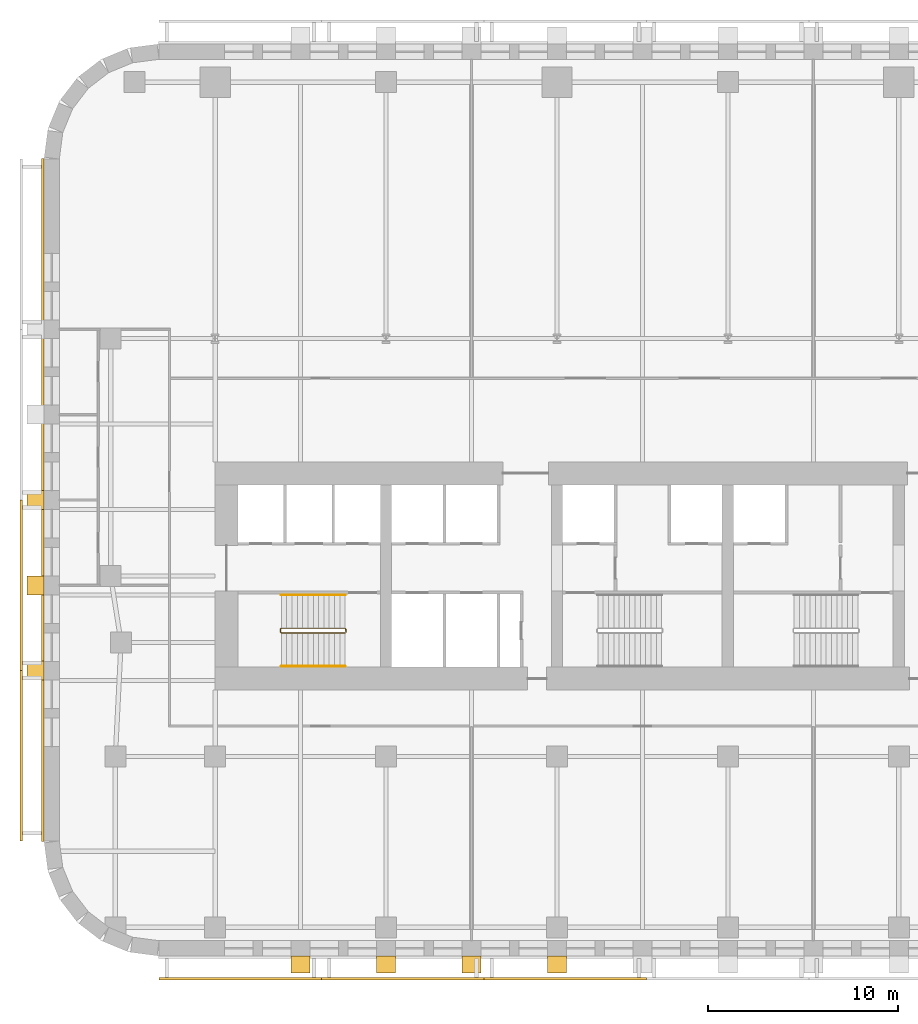
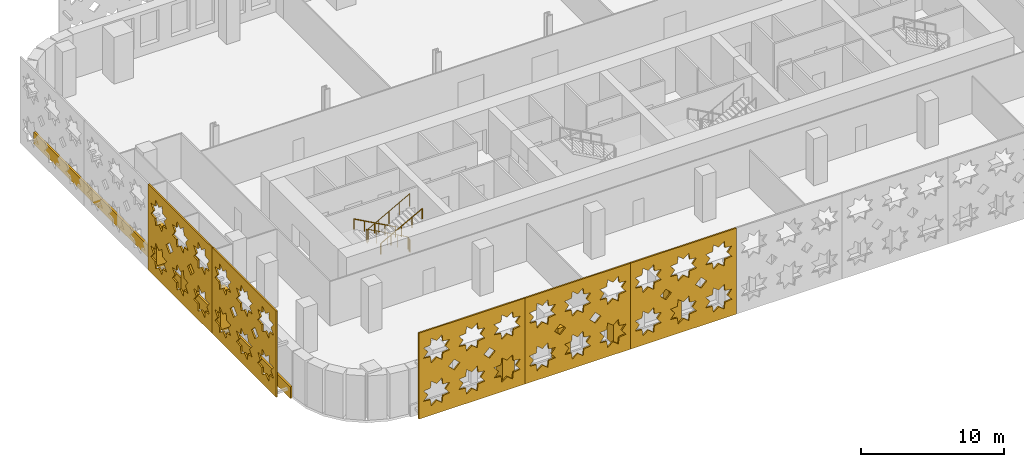
# One storey, part 10 of 14: 13 coverings, 3 railings.
"""IFC4 building model written with IfcOpenShell, lengths in metres."""

from ifc_helpers import new_model, si_unit, direction, frame, origin, origin_2d, place, context, subcontext, project, spatial, polyline, circle, outline, extrude, material, layer, layer_set, type_object, element, save


model = new_model("IFC4")

# Units and contexts
model_context = context("Model", 3, precision=1e-05, world=origin(), true_north=direction((0.0, 1.0)))
body_context = subcontext(model_context, "Body", "Model", "MODEL_VIEW")
ifc_project = project(units=[si_unit("LENGTHUNIT", "METRE"), si_unit("AREAUNIT", "SQUARE_METRE"), si_unit("VOLUMEUNIT", "CUBIC_METRE"), si_unit("PLANEANGLEUNIT", "RADIAN"), si_unit("MASSUNIT", "GRAM", prefix="KILO")], contexts=[model_context])

# Site, building, storey
site_placement = place(None, origin())
site = spatial("IfcSite", under=ifc_project, at=site_placement, CompositionType="ELEMENT")
building_placement = place(site_placement, origin())
building = spatial("IfcBuilding", under=site, at=building_placement, Name="Zellij Exchange Tower", CompositionType="ELEMENT")
storey_placement = place(building_placement, frame((0.0, 0.0, 68.5)))
storey = spatial("IfcBuildingStorey", under=building, at=storey_placement, Name="L13", CompositionType="ELEMENT", Elevation=68.5)

# Railings
ifc_material_1 = material(Name="Stainless steel", Category="steel")
railing_type_1 = type_object("IfcRailingType", Name="CORE-RG stair guard", PredefinedType="GUARDRAIL", material=ifc_material_1)
railing_1_placement = place(storey_placement, frame((-20.10009765625, -10.800048828125, 0.0)))
element("IfcRailing", 1, at=railing_1_placement, inside=storey, type_object=railing_type_1, Name="ST1 stair guard L13", PredefinedType="GUARDRAIL", context=body_context, shape_type="SweptSolid", body=[
    extrude(circle(Radius=0.02392578125, at=origin_2d()), frame((0.0, 0.0, 1.076171875), z_axis=(0.0, -1.0, 0.0), x_axis=(1.0, 0.0, 0.0)), (0.0, 0.0, 1.0), 0.14990234375),
    extrude(circle(Radius=0.02392578125, at=origin_2d()), frame((0.0, -0.14990234375, 1.076171875), z_axis=(-0.193691321961, 0.777613689637, 0.598164376644), x_axis=(-0.970351222016, -0.241699205484, 0.0)), (0.0, 0.0, 1.0), 0.257080078125),
    extrude(circle(Radius=0.02392578125, at=origin_2d()), frame((-0.0498046875, 0.050048828125, 1.22998046875), z_axis=(-0.876421534553, 0.0, 0.481544695509), x_axis=(0.0, -1.0, 0.0)), (0.0, 0.0, 1.0), 3.833984375),
    extrude(circle(Radius=0.02392578125, at=origin_2d()), frame((-3.409912109375, 0.050048828125, 3.076171875), z_axis=(-0.707106781187, -0.707106781187, 0.0), x_axis=(0.707106781187, -0.707106781187, 0.0)), (0.0, 0.0, 1.0), 0.07080078125),
    extrude(circle(Radius=0.02392578125, at=origin_2d()), frame((-3.4599609375, 0.0, 3.076171875), z_axis=(0.0, -1.0, 0.0), x_axis=(1.0, 0.0, 0.0)), (0.0, 0.0, 1.0), 0.14990234375),
    extrude(circle(Radius=0.02392578125, at=origin_2d()), frame((-3.4599609375, -0.14990234375, 3.076171875), z_axis=(0.295599637079, -0.295599637079, 0.908428152975), x_axis=(0.707106781187, 0.707106781187, 0.0)), (0.0, 0.0, 1.0), 0.16943359375),
    extrude(circle(Radius=0.02392578125, at=origin_2d()), frame((-3.409912109375, -0.199951171875, 3.22998046875), z_axis=(0.876421534553, 0.0, 0.481544695509), x_axis=(0.0, 1.0, 0.0)), (0.0, 0.0, 1.0), 3.833984375),
    extrude(circle(Radius=0.02099609375, at=origin_2d()), origin(), (0.0, 0.0, 1.0), 1.052001953125),
    extrude(circle(Radius=0.02099609375, at=origin_2d()), frame((0.0, -0.14990234375, 0.0)), (0.0, 0.0, 1.0), 1.052001953125),
    extrude(circle(Radius=0.02099609375, at=origin_2d()), frame((-0.0498046875, 0.050048828125, 0.15380859375)), (0.0, 0.0, 1.0), 1.052001953125),
    extrude(circle(Radius=0.02099609375, at=origin_2d()), frame((-0.889892578125, 0.050048828125, 0.615234375)), (0.0, 0.0, 1.0), 1.052001953125),
    extrude(circle(Radius=0.02099609375, at=origin_2d()), frame((-1.72998046875, 0.050048828125, 1.076904296875)), (0.0, 0.0, 1.0), 1.052001953125),
    extrude(circle(Radius=0.02099609375, at=origin_2d()), frame((-2.56982421875, 0.050048828125, 1.53857421875)), (0.0, 0.0, 1.0), 1.052001953125),
    extrude(circle(Radius=0.02099609375, at=origin_2d()), frame((-3.409912109375, 0.050048828125, 2.0)), (0.0, 0.0, 1.0), 1.052001953125),
    extrude(circle(Radius=0.02099609375, at=origin_2d()), frame((-3.4599609375, 0.0, 2.0)), (0.0, 0.0, 1.0), 1.052001953125),
    extrude(circle(Radius=0.02099609375, at=origin_2d()), frame((-3.4599609375, -0.14990234375, 2.0)), (0.0, 0.0, 1.0), 1.052001953125),
    extrude(circle(Radius=0.02099609375, at=origin_2d()), frame((-3.409912109375, -0.199951171875, 2.15380859375)), (0.0, 0.0, 1.0), 1.052001953125),
    extrude(circle(Radius=0.02099609375, at=origin_2d()), frame((-2.56982421875, -0.199951171875, 2.615234375)), (0.0, 0.0, 1.0), 1.052001953125),
    extrude(circle(Radius=0.02099609375, at=origin_2d()), frame((-1.72998046875, -0.199951171875, 3.076904296875)), (0.0, 0.0, 1.0), 1.052001953125),
    extrude(circle(Radius=0.02099609375, at=origin_2d()), frame((-0.889892578125, -0.199951171875, 3.53857421875)), (0.0, 0.0, 1.0), 1.052001953125),
    extrude(circle(Radius=0.02099609375, at=origin_2d()), frame((-0.0498046875, -0.199951171875, 4.0)), (0.0, 0.0, 1.0), 1.052001953125),
])
railing_type_2 = type_object("IfcRailingType", Name="CORE-RH stair handrail", PredefinedType="HANDRAIL", material=ifc_material_1)
railing_2_placement = place(storey_placement, frame((-20.14990234375, -9.0, 0.15380859375)))
element("IfcRailing", 2, at=railing_2_placement, inside=storey, type_object=railing_type_2, Name="ST1 stair handrail L13", PredefinedType="HANDRAIL", context=body_context, shape_type="SweptSolid", body=[
    extrude(circle(Radius=0.02392578125, at=origin_2d()), frame((0.0, 0.0, 0.8759765625), z_axis=(-0.876421534553, 0.0, 0.481544695509), x_axis=(0.0, -1.0, 0.0)), (0.0, 0.0, 1.0), 3.833984375),
    extrude(circle(Radius=0.02099609375, at=origin_2d()), origin(), (0.0, 0.0, 1.0), 0.851806640625),
    extrude(circle(Radius=0.02099609375, at=origin_2d()), frame((-0.840087890625, 0.0, 0.46142578125)), (0.0, 0.0, 1.0), 0.851806640625),
    extrude(circle(Radius=0.02099609375, at=origin_2d()), frame((-1.68017578125, 0.0, 0.923095703125)), (0.0, 0.0, 1.0), 0.851806640625),
    extrude(circle(Radius=0.02099609375, at=origin_2d()), frame((-2.52001953125, 0.0, 1.384765625)), (0.0, 0.0, 1.0), 0.851806640625),
    extrude(circle(Radius=0.02099609375, at=origin_2d()), frame((-3.360107421875, 0.0, 1.84619140625)), (0.0, 0.0, 1.0), 0.851806640625),
])
railing_3_placement = place(storey_placement, frame((-23.510009765625, -12.75, 2.15380859375)))
element("IfcRailing", 3, at=railing_3_placement, inside=storey, type_object=railing_type_2, Name="ST1 stair handrail L13", PredefinedType="HANDRAIL", context=body_context, shape_type="SweptSolid", body=[
    extrude(circle(Radius=0.02392578125, at=origin_2d()), frame((0.0, 0.0, 0.8759765625), z_axis=(0.876421534553, 0.0, 0.481544695509), x_axis=(0.0, 1.0, 0.0)), (0.0, 0.0, 1.0), 3.833984375),
    extrude(circle(Radius=0.02099609375, at=origin_2d()), origin(), (0.0, 0.0, 1.0), 0.851806640625),
    extrude(circle(Radius=0.02099609375, at=origin_2d()), frame((0.840087890625, 0.0, 0.46142578125)), (0.0, 0.0, 1.0), 0.851806640625),
    extrude(circle(Radius=0.02099609375, at=origin_2d()), frame((1.68017578125, 0.0, 0.923095703125)), (0.0, 0.0, 1.0), 0.851806640625),
    extrude(circle(Radius=0.02099609375, at=origin_2d()), frame((2.52001953125, 0.0, 1.384765625)), (0.0, 0.0, 1.0), 0.851806640625),
    extrude(circle(Radius=0.02099609375, at=origin_2d()), frame((3.360107421875, 0.0, 1.84619140625)), (0.0, 0.0, 1.0), 0.851806640625),
])

# Coverings
ifc_material_2 = material(Name="Limestone cladding", Category="masonry")
ifc_layer_1 = layer(ifc_material_2, 0.14990234375)
ifc_layer_set_1 = layer_set([ifc_layer_1], Name="Limestone cladding")
covering_type_1 = type_object("IfcCoveringType", Name="ENV-CV1 Stone spandrel band 150", PredefinedType="CLADDING", material=ifc_layer_set_1)
covering_1_placement = place(storey_placement, frame((0.0, 0.0, -0.199951171875)))
element("IfcCovering", 4, at=covering_1_placement, inside=storey, type_object=covering_type_1, Name="Stone spandrel band", PredefinedType="CLADDING", context=body_context, shape_type="SweptSolid", body=[
    extrude(outline(polyline([(-36.0, 13.973876953125), (-36.0, -21.973876953125), (-36.14990234375, -21.983642578125), (-36.14990234375, 13.983642578125), (-36.0, 13.973876953125)])), origin(), (0.0, 0.0, 1.0), 1.0),
])
covering_type_2 = type_object("IfcCoveringType", Name="ENV-CV2 Stone pier 1000x900", PredefinedType="CLADDING", material=ifc_material_2)
covering_2_placement = place(storey_placement, frame((0.0, 0.0, 0.800048828125)))
element("IfcCovering", 5, at=covering_2_placement, inside=storey, type_object=covering_type_2, Name="Stone pier", PredefinedType="CLADDING", context=body_context, shape_type="SweptSolid", body=[
    extrude(outline(polyline([(-23.0, -28.0), (-22.0, -28.0), (-22.0, -28.89990234375), (-23.0, -28.89990234375), (-23.0, -28.0)])), origin(), (0.0, 0.0, 1.0), 3.0),
])
covering_3_placement = place(storey_placement, frame((0.0, 0.0, 0.800048828125)))
element("IfcCovering", 6, at=covering_3_placement, inside=storey, type_object=covering_type_2, Name="Stone pier", PredefinedType="CLADDING", context=body_context, shape_type="SweptSolid", body=[
    extrude(outline(polyline([(-18.5, -28.0), (-17.5, -28.0), (-17.5, -28.89990234375), (-18.5, -28.89990234375), (-18.5, -28.0)])), origin(), (0.0, 0.0, 1.0), 3.0),
])
covering_4_placement = place(storey_placement, frame((0.0, 0.0, 0.800048828125)))
element("IfcCovering", 7, at=covering_4_placement, inside=storey, type_object=covering_type_2, Name="Stone pier", PredefinedType="CLADDING", context=body_context, shape_type="SweptSolid", body=[
    extrude(outline(polyline([(-14.0, -28.0), (-13.0, -28.0), (-13.0, -28.89990234375), (-14.0, -28.89990234375), (-14.0, -28.0)])), origin(), (0.0, 0.0, 1.0), 3.0),
])
covering_5_placement = place(storey_placement, frame((0.0, 0.0, 0.800048828125)))
element("IfcCovering", 8, at=covering_5_placement, inside=storey, type_object=covering_type_2, Name="Stone pier", PredefinedType="CLADDING", context=body_context, shape_type="SweptSolid", body=[
    extrude(outline(polyline([(-9.5, -28.0), (-8.5, -28.0), (-8.5, -28.89990234375), (-9.5, -28.89990234375), (-9.5, -28.0)])), origin(), (0.0, 0.0, 1.0), 3.0),
])
covering_6_placement = place(storey_placement, frame((0.0, 0.0, 0.800048828125)))
element("IfcCovering", 9, at=covering_6_placement, inside=storey, type_object=covering_type_2, Name="Stone pier", PredefinedType="CLADDING", context=body_context, shape_type="SweptSolid", body=[
    extrude(outline(polyline([(-36.0, -3.5), (-36.0, -4.5), (-36.89990234375, -4.5), (-36.89990234375, -3.5), (-36.0, -3.5)])), origin(), (0.0, 0.0, 1.0), 3.0),
])
covering_7_placement = place(storey_placement, frame((0.0, 0.0, 0.800048828125)))
element("IfcCovering", 10, at=covering_7_placement, inside=storey, type_object=covering_type_2, Name="Stone pier", PredefinedType="CLADDING", context=body_context, shape_type="SweptSolid", body=[
    extrude(outline(polyline([(-36.0, -7.993408203125), (-36.0, -8.993408203125), (-36.89990234375, -8.993408203125), (-36.89990234375, -7.993408203125), (-36.0, -7.993408203125)])), origin(), (0.0, 0.0, 1.0), 3.0),
])
covering_8_placement = place(storey_placement, frame((0.0, 0.0, 0.800048828125)))
element("IfcCovering", 11, at=covering_8_placement, inside=storey, type_object=covering_type_2, Name="Stone pier", PredefinedType="CLADDING", context=body_context, shape_type="SweptSolid", body=[
    extrude(outline(polyline([(-36.0, -12.48681640625), (-36.0, -13.48681640625), (-36.89990234375, -13.48681640625), (-36.89990234375, -12.48681640625), (-36.0, -12.48681640625)])), origin(), (0.0, 0.0, 1.0), 3.0),
])
ifc_material_3 = material(Name="Limestone screen", Category="masonry")
ifc_layer_2 = layer(ifc_material_3, 0.1201171875)
ifc_layer_set_2 = layer_set([ifc_layer_2], Name="Limestone screen")
covering_type_3 = type_object("IfcCoveringType", Name="ENV-SC1 Pierced stone screen 120", PredefinedType="USERDEFINED", material=ifc_layer_set_2)
covering_9_placement = place(storey_placement, frame((-37.2099609375, -4.0, 0.300048828125), z_axis=(0.0, 0.0, 1.0), x_axis=(0.0, -1.0, 0.0)))
element("IfcCovering", 12, at=covering_9_placement, inside=storey, type_object=covering_type_3, Name="Pierced stone screen", ObjectType="SCREEN", PredefinedType="USERDEFINED", context=body_context, shape_type="SweptSolid", body=[
    extrude(outline(polyline([(0.0, 0.0), (8.973876953125, 0.0), (8.973876953125, 7.35009765625), (0.0, 7.35009765625), (0.0, 0.0)]), holes=[polyline([(2.60107421875, 2.29541015625), (2.020263671875, 2.362060546875), (1.95361328125, 2.94287109375), (1.49560546875, 2.579345703125), (1.03759765625, 2.94287109375), (0.97119140625, 2.362060546875), (0.39013671875, 2.29541015625), (0.75390625, 1.83740234375), (0.39013671875, 1.379638671875), (0.97119140625, 1.31298828125), (1.03759765625, 0.732177734375), (1.49560546875, 1.095703125), (1.95361328125, 0.732177734375), (2.020263671875, 1.31298828125), (2.60107421875, 1.379638671875), (2.237548828125, 1.83740234375), (2.60107421875, 2.29541015625)]), polyline([(2.60107421875, 5.970458984375), (2.020263671875, 6.037109375), (1.95361328125, 6.617919921875), (1.49560546875, 6.25439453125), (1.03759765625, 6.617919921875), (0.97119140625, 6.037109375), (0.39013671875, 5.970458984375), (0.75390625, 5.512451171875), (0.39013671875, 5.0546875), (0.97119140625, 4.98779296875), (1.03759765625, 4.406982421875), (1.49560546875, 4.770751953125), (1.95361328125, 4.406982421875), (2.020263671875, 4.98779296875), (2.60107421875, 5.0546875), (2.237548828125, 5.512451171875), (2.60107421875, 5.970458984375)]), polyline([(5.59228515625, 2.29541015625), (5.011474609375, 2.362060546875), (4.94482421875, 2.94287109375), (4.48681640625, 2.579345703125), (4.029052734375, 2.94287109375), (3.96240234375, 2.362060546875), (3.381591796875, 2.29541015625), (3.7451171875, 1.83740234375), (3.381591796875, 1.379638671875), (3.96240234375, 1.31298828125), (4.029052734375, 0.732177734375), (4.48681640625, 1.095703125), (4.94482421875, 0.732177734375), (5.011474609375, 1.31298828125), (5.59228515625, 1.379638671875), (5.228759765625, 1.83740234375), (5.59228515625, 2.29541015625)]), polyline([(5.59228515625, 5.970458984375), (5.011474609375, 6.037109375), (4.94482421875, 6.617919921875), (4.48681640625, 6.25439453125), (4.029052734375, 6.617919921875), (3.96240234375, 6.037109375), (3.381591796875, 5.970458984375), (3.7451171875, 5.512451171875), (3.381591796875, 5.0546875), (3.96240234375, 4.98779296875), (4.029052734375, 4.406982421875), (4.48681640625, 4.770751953125), (4.94482421875, 4.406982421875), (5.011474609375, 4.98779296875), (5.59228515625, 5.0546875), (5.228759765625, 5.512451171875), (5.59228515625, 5.970458984375)]), polyline([(8.58349609375, 2.29541015625), (8.002685546875, 2.362060546875), (7.93603515625, 2.94287109375), (7.478271484375, 2.579345703125), (7.020263671875, 2.94287109375), (6.95361328125, 2.362060546875), (6.372802734375, 2.29541015625), (6.736328125, 1.83740234375), (6.372802734375, 1.379638671875), (6.95361328125, 1.31298828125), (7.020263671875, 0.732177734375), (7.478271484375, 1.095703125), (7.93603515625, 0.732177734375), (8.002685546875, 1.31298828125), (8.58349609375, 1.379638671875), (8.219970703125, 1.83740234375), (8.58349609375, 2.29541015625)]), polyline([(8.58349609375, 5.970458984375), (8.002685546875, 6.037109375), (7.93603515625, 6.617919921875), (7.478271484375, 6.25439453125), (7.020263671875, 6.617919921875), (6.95361328125, 6.037109375), (6.372802734375, 5.970458984375), (6.736328125, 5.512451171875), (6.372802734375, 5.0546875), (6.95361328125, 4.98779296875), (7.020263671875, 4.406982421875), (7.478271484375, 4.770751953125), (7.93603515625, 4.406982421875), (8.002685546875, 4.98779296875), (8.58349609375, 5.0546875), (8.219970703125, 5.512451171875), (8.58349609375, 5.970458984375)]), polyline([(3.469970703125, 3.675048828125), (2.9912109375, 4.153564453125), (2.5126953125, 3.675048828125), (2.9912109375, 3.1962890625), (3.469970703125, 3.675048828125)]), polyline([(6.461181640625, 3.675048828125), (5.982421875, 4.153564453125), (5.50390625, 3.675048828125), (5.982421875, 3.1962890625), (6.461181640625, 3.675048828125)])]), frame((0.0, 0.06005859375, 0.0), z_axis=(0.0, -1.0, 0.0), x_axis=(1.0, 0.0, 0.0)), (0.0, 0.0, 1.0), 0.1201171875),
])
covering_10_placement = place(storey_placement, frame((-37.2099609375, -12.973876953125, 0.300048828125), z_axis=(0.0, 0.0, 1.0), x_axis=(0.0, -1.0, 0.0)))
element("IfcCovering", 13, at=covering_10_placement, inside=storey, type_object=covering_type_3, Name="Pierced stone screen", ObjectType="SCREEN", PredefinedType="USERDEFINED", context=body_context, shape_type="SweptSolid", body=[
    extrude(outline(polyline([(0.0, 0.0), (8.973876953125, 0.0), (8.973876953125, 7.35009765625), (0.0, 7.35009765625), (0.0, 0.0)]), holes=[polyline([(2.60107421875, 2.29541015625), (2.020263671875, 2.362060546875), (1.95361328125, 2.94287109375), (1.49560546875, 2.579345703125), (1.03759765625, 2.94287109375), (0.97119140625, 2.362060546875), (0.39013671875, 2.29541015625), (0.75390625, 1.83740234375), (0.39013671875, 1.379638671875), (0.97119140625, 1.31298828125), (1.03759765625, 0.732177734375), (1.49560546875, 1.095703125), (1.95361328125, 0.732177734375), (2.020263671875, 1.31298828125), (2.60107421875, 1.379638671875), (2.237548828125, 1.83740234375), (2.60107421875, 2.29541015625)]), polyline([(2.60107421875, 5.970458984375), (2.020263671875, 6.037109375), (1.95361328125, 6.617919921875), (1.49560546875, 6.25439453125), (1.03759765625, 6.617919921875), (0.97119140625, 6.037109375), (0.39013671875, 5.970458984375), (0.75390625, 5.512451171875), (0.39013671875, 5.0546875), (0.97119140625, 4.98779296875), (1.03759765625, 4.406982421875), (1.49560546875, 4.770751953125), (1.95361328125, 4.406982421875), (2.020263671875, 4.98779296875), (2.60107421875, 5.0546875), (2.237548828125, 5.512451171875), (2.60107421875, 5.970458984375)]), polyline([(5.59228515625, 2.29541015625), (5.011474609375, 2.362060546875), (4.94482421875, 2.94287109375), (4.48681640625, 2.579345703125), (4.029052734375, 2.94287109375), (3.96240234375, 2.362060546875), (3.381591796875, 2.29541015625), (3.7451171875, 1.83740234375), (3.381591796875, 1.379638671875), (3.96240234375, 1.31298828125), (4.029052734375, 0.732177734375), (4.48681640625, 1.095703125), (4.94482421875, 0.732177734375), (5.011474609375, 1.31298828125), (5.59228515625, 1.379638671875), (5.228759765625, 1.83740234375), (5.59228515625, 2.29541015625)]), polyline([(5.59228515625, 5.970458984375), (5.011474609375, 6.037109375), (4.94482421875, 6.617919921875), (4.48681640625, 6.25439453125), (4.029052734375, 6.617919921875), (3.96240234375, 6.037109375), (3.381591796875, 5.970458984375), (3.7451171875, 5.512451171875), (3.381591796875, 5.0546875), (3.96240234375, 4.98779296875), (4.029052734375, 4.406982421875), (4.48681640625, 4.770751953125), (4.94482421875, 4.406982421875), (5.011474609375, 4.98779296875), (5.59228515625, 5.0546875), (5.228759765625, 5.512451171875), (5.59228515625, 5.970458984375)]), polyline([(8.58349609375, 2.29541015625), (8.002685546875, 2.362060546875), (7.93603515625, 2.94287109375), (7.478271484375, 2.579345703125), (7.020263671875, 2.94287109375), (6.95361328125, 2.362060546875), (6.372802734375, 2.29541015625), (6.736328125, 1.83740234375), (6.372802734375, 1.379638671875), (6.95361328125, 1.31298828125), (7.020263671875, 0.732177734375), (7.478271484375, 1.095703125), (7.93603515625, 0.732177734375), (8.002685546875, 1.31298828125), (8.58349609375, 1.379638671875), (8.219970703125, 1.83740234375), (8.58349609375, 2.29541015625)]), polyline([(8.58349609375, 5.970458984375), (8.002685546875, 6.037109375), (7.93603515625, 6.617919921875), (7.478271484375, 6.25439453125), (7.020263671875, 6.617919921875), (6.95361328125, 6.037109375), (6.372802734375, 5.970458984375), (6.736328125, 5.512451171875), (6.372802734375, 5.0546875), (6.95361328125, 4.98779296875), (7.020263671875, 4.406982421875), (7.478271484375, 4.770751953125), (7.93603515625, 4.406982421875), (8.002685546875, 4.98779296875), (8.58349609375, 5.0546875), (8.219970703125, 5.512451171875), (8.58349609375, 5.970458984375)]), polyline([(3.469970703125, 3.675048828125), (2.9912109375, 4.153564453125), (2.5126953125, 3.675048828125), (2.9912109375, 3.1962890625), (3.469970703125, 3.675048828125)]), polyline([(6.461181640625, 3.675048828125), (5.982421875, 4.153564453125), (5.50390625, 3.675048828125), (5.982421875, 3.1962890625), (6.461181640625, 3.675048828125)])]), frame((0.0, 0.06005859375, 0.0), z_axis=(0.0, -1.0, 0.0), x_axis=(1.0, 0.0, 0.0)), (0.0, 0.0, 1.0), 0.1201171875),
])
covering_11_placement = place(storey_placement, frame((-29.947509765625, -29.2099609375, 0.300048828125), z_axis=(0.0, 0.0, 1.0), x_axis=(1.0, 0.0, 0.0)))
element("IfcCovering", 14, at=covering_11_placement, inside=storey, type_object=covering_type_3, Name="Pierced stone screen", ObjectType="SCREEN", PredefinedType="USERDEFINED", context=body_context, shape_type="SweptSolid", body=[
    extrude(outline(polyline([(0.0, 0.0), (8.556396484375, 0.0), (8.556396484375, 7.35009765625), (0.0, 7.35009765625), (0.0, 0.0)]), holes=[polyline([(2.47998046875, 2.274169921875), (1.92626953125, 2.337646484375), (1.86279296875, 2.8916015625), (1.426025390625, 2.544921875), (0.989501953125, 2.8916015625), (0.92578125, 2.337646484375), (0.3720703125, 2.274169921875), (0.71875, 1.83740234375), (0.3720703125, 1.40087890625), (0.92578125, 1.33740234375), (0.989501953125, 0.783447265625), (1.426025390625, 1.130126953125), (1.86279296875, 0.783447265625), (1.92626953125, 1.33740234375), (2.47998046875, 1.40087890625), (2.13330078125, 1.83740234375), (2.47998046875, 2.274169921875)]), polyline([(2.47998046875, 5.94921875), (1.92626953125, 6.0126953125), (1.86279296875, 6.56640625), (1.426025390625, 6.2197265625), (0.989501953125, 6.56640625), (0.92578125, 6.0126953125), (0.3720703125, 5.94921875), (0.71875, 5.512451171875), (0.3720703125, 5.075927734375), (0.92578125, 5.01220703125), (0.989501953125, 4.45849609375), (1.426025390625, 4.80517578125), (1.86279296875, 4.45849609375), (1.92626953125, 5.01220703125), (2.47998046875, 5.075927734375), (2.13330078125, 5.512451171875), (2.47998046875, 5.94921875)]), polyline([(5.332275390625, 2.274169921875), (4.7783203125, 2.337646484375), (4.71484375, 2.8916015625), (4.2783203125, 2.544921875), (3.841552734375, 2.8916015625), (3.778076171875, 2.337646484375), (3.22412109375, 2.274169921875), (3.57080078125, 1.83740234375), (3.22412109375, 1.40087890625), (3.778076171875, 1.33740234375), (3.841552734375, 0.783447265625), (4.2783203125, 1.130126953125), (4.71484375, 0.783447265625), (4.7783203125, 1.33740234375), (5.332275390625, 1.40087890625), (4.985595703125, 1.83740234375), (5.332275390625, 2.274169921875)]), polyline([(5.332275390625, 5.94921875), (4.7783203125, 6.0126953125), (4.71484375, 6.56640625), (4.2783203125, 6.2197265625), (3.841552734375, 6.56640625), (3.778076171875, 6.0126953125), (3.22412109375, 5.94921875), (3.57080078125, 5.512451171875), (3.22412109375, 5.075927734375), (3.778076171875, 5.01220703125), (3.841552734375, 4.45849609375), (4.2783203125, 4.80517578125), (4.71484375, 4.45849609375), (4.7783203125, 5.01220703125), (5.332275390625, 5.075927734375), (4.985595703125, 5.512451171875), (5.332275390625, 5.94921875)]), polyline([(8.184326171875, 2.274169921875), (7.630615234375, 2.337646484375), (7.56689453125, 2.8916015625), (7.13037109375, 2.544921875), (6.69384765625, 2.8916015625), (6.630126953125, 2.337646484375), (6.076416015625, 2.274169921875), (6.423095703125, 1.83740234375), (6.076416015625, 1.40087890625), (6.630126953125, 1.33740234375), (6.69384765625, 0.783447265625), (7.13037109375, 1.130126953125), (7.56689453125, 0.783447265625), (7.630615234375, 1.33740234375), (8.184326171875, 1.40087890625), (7.837646484375, 1.83740234375), (8.184326171875, 2.274169921875)]), polyline([(8.184326171875, 5.94921875), (7.630615234375, 6.0126953125), (7.56689453125, 6.56640625), (7.13037109375, 6.2197265625), (6.69384765625, 6.56640625), (6.630126953125, 6.0126953125), (6.076416015625, 5.94921875), (6.423095703125, 5.512451171875), (6.076416015625, 5.075927734375), (6.630126953125, 5.01220703125), (6.69384765625, 4.45849609375), (7.13037109375, 4.80517578125), (7.56689453125, 4.45849609375), (7.630615234375, 5.01220703125), (8.184326171875, 5.075927734375), (7.837646484375, 5.512451171875), (8.184326171875, 5.94921875)]), polyline([(3.30859375, 3.675048828125), (2.852294921875, 4.13134765625), (2.395751953125, 3.675048828125), (2.852294921875, 3.21875), (3.30859375, 3.675048828125)]), polyline([(6.16064453125, 3.675048828125), (5.704345703125, 4.13134765625), (5.248046875, 3.675048828125), (5.704345703125, 3.21875), (6.16064453125, 3.675048828125)])]), frame((0.0, 0.06005859375, 0.0), z_axis=(0.0, -1.0, 0.0), x_axis=(1.0, 0.0, 0.0)), (0.0, 0.0, 1.0), 0.1201171875),
])
covering_12_placement = place(storey_placement, frame((-21.39111328125, -29.2099609375, 0.300048828125), z_axis=(0.0, 0.0, 1.0), x_axis=(1.0, 0.0, 0.0)))
element("IfcCovering", 15, at=covering_12_placement, inside=storey, type_object=covering_type_3, Name="Pierced stone screen", ObjectType="SCREEN", PredefinedType="USERDEFINED", context=body_context, shape_type="SweptSolid", body=[
    extrude(outline(polyline([(0.0, 0.0), (8.556396484375, 0.0), (8.556396484375, 7.35009765625), (0.0, 7.35009765625), (0.0, 0.0)]), holes=[polyline([(2.47998046875, 2.274169921875), (1.92626953125, 2.337646484375), (1.86279296875, 2.8916015625), (1.426025390625, 2.544921875), (0.989501953125, 2.8916015625), (0.92578125, 2.337646484375), (0.3720703125, 2.274169921875), (0.71875, 1.83740234375), (0.3720703125, 1.40087890625), (0.92578125, 1.33740234375), (0.989501953125, 0.783447265625), (1.426025390625, 1.130126953125), (1.86279296875, 0.783447265625), (1.92626953125, 1.33740234375), (2.47998046875, 1.40087890625), (2.13330078125, 1.83740234375), (2.47998046875, 2.274169921875)]), polyline([(2.47998046875, 5.94921875), (1.92626953125, 6.0126953125), (1.86279296875, 6.56640625), (1.426025390625, 6.2197265625), (0.989501953125, 6.56640625), (0.92578125, 6.0126953125), (0.3720703125, 5.94921875), (0.71875, 5.512451171875), (0.3720703125, 5.075927734375), (0.92578125, 5.01220703125), (0.989501953125, 4.45849609375), (1.426025390625, 4.80517578125), (1.86279296875, 4.45849609375), (1.92626953125, 5.01220703125), (2.47998046875, 5.075927734375), (2.13330078125, 5.512451171875), (2.47998046875, 5.94921875)]), polyline([(5.332275390625, 2.274169921875), (4.7783203125, 2.337646484375), (4.71484375, 2.8916015625), (4.2783203125, 2.544921875), (3.841552734375, 2.8916015625), (3.778076171875, 2.337646484375), (3.22412109375, 2.274169921875), (3.57080078125, 1.83740234375), (3.22412109375, 1.40087890625), (3.778076171875, 1.33740234375), (3.841552734375, 0.783447265625), (4.2783203125, 1.130126953125), (4.71484375, 0.783447265625), (4.7783203125, 1.33740234375), (5.332275390625, 1.40087890625), (4.985595703125, 1.83740234375), (5.332275390625, 2.274169921875)]), polyline([(5.332275390625, 5.94921875), (4.7783203125, 6.0126953125), (4.71484375, 6.56640625), (4.2783203125, 6.2197265625), (3.841552734375, 6.56640625), (3.778076171875, 6.0126953125), (3.22412109375, 5.94921875), (3.57080078125, 5.512451171875), (3.22412109375, 5.075927734375), (3.778076171875, 5.01220703125), (3.841552734375, 4.45849609375), (4.2783203125, 4.80517578125), (4.71484375, 4.45849609375), (4.7783203125, 5.01220703125), (5.332275390625, 5.075927734375), (4.985595703125, 5.512451171875), (5.332275390625, 5.94921875)]), polyline([(8.184326171875, 2.274169921875), (7.630615234375, 2.337646484375), (7.56689453125, 2.8916015625), (7.13037109375, 2.544921875), (6.69384765625, 2.8916015625), (6.630126953125, 2.337646484375), (6.076416015625, 2.274169921875), (6.423095703125, 1.83740234375), (6.076416015625, 1.40087890625), (6.630126953125, 1.33740234375), (6.69384765625, 0.783447265625), (7.13037109375, 1.130126953125), (7.56689453125, 0.783447265625), (7.630615234375, 1.33740234375), (8.184326171875, 1.40087890625), (7.837646484375, 1.83740234375), (8.184326171875, 2.274169921875)]), polyline([(8.184326171875, 5.94921875), (7.630615234375, 6.0126953125), (7.56689453125, 6.56640625), (7.13037109375, 6.2197265625), (6.69384765625, 6.56640625), (6.630126953125, 6.0126953125), (6.076416015625, 5.94921875), (6.423095703125, 5.512451171875), (6.076416015625, 5.075927734375), (6.630126953125, 5.01220703125), (6.69384765625, 4.45849609375), (7.13037109375, 4.80517578125), (7.56689453125, 4.45849609375), (7.630615234375, 5.01220703125), (8.184326171875, 5.075927734375), (7.837646484375, 5.512451171875), (8.184326171875, 5.94921875)]), polyline([(3.30859375, 3.675048828125), (2.852294921875, 4.13134765625), (2.395751953125, 3.675048828125), (2.852294921875, 3.21875), (3.30859375, 3.675048828125)]), polyline([(6.16064453125, 3.675048828125), (5.704345703125, 4.13134765625), (5.248046875, 3.675048828125), (5.704345703125, 3.21875), (6.16064453125, 3.675048828125)])]), frame((0.0, 0.06005859375, 0.0), z_axis=(0.0, -1.0, 0.0), x_axis=(1.0, 0.0, 0.0)), (0.0, 0.0, 1.0), 0.1201171875),
])
covering_13_placement = place(storey_placement, frame((-12.834716796875, -29.2099609375, 0.300048828125), z_axis=(0.0, 0.0, 1.0), x_axis=(1.0, 0.0, 0.0)))
element("IfcCovering", 16, at=covering_13_placement, inside=storey, type_object=covering_type_3, Name="Pierced stone screen", ObjectType="SCREEN", PredefinedType="USERDEFINED", context=body_context, shape_type="SweptSolid", body=[
    extrude(outline(polyline([(0.0, 0.0), (8.556396484375, 0.0), (8.556396484375, 7.35009765625), (0.0, 7.35009765625), (0.0, 0.0)]), holes=[polyline([(2.47998046875, 2.274169921875), (1.92626953125, 2.337646484375), (1.86279296875, 2.8916015625), (1.426025390625, 2.544921875), (0.989501953125, 2.8916015625), (0.92578125, 2.337646484375), (0.3720703125, 2.274169921875), (0.71875, 1.83740234375), (0.3720703125, 1.40087890625), (0.92578125, 1.33740234375), (0.989501953125, 0.783447265625), (1.426025390625, 1.130126953125), (1.86279296875, 0.783447265625), (1.92626953125, 1.33740234375), (2.47998046875, 1.40087890625), (2.13330078125, 1.83740234375), (2.47998046875, 2.274169921875)]), polyline([(2.47998046875, 5.94921875), (1.92626953125, 6.0126953125), (1.86279296875, 6.56640625), (1.426025390625, 6.2197265625), (0.989501953125, 6.56640625), (0.92578125, 6.0126953125), (0.3720703125, 5.94921875), (0.71875, 5.512451171875), (0.3720703125, 5.075927734375), (0.92578125, 5.01220703125), (0.989501953125, 4.45849609375), (1.426025390625, 4.80517578125), (1.86279296875, 4.45849609375), (1.92626953125, 5.01220703125), (2.47998046875, 5.075927734375), (2.13330078125, 5.512451171875), (2.47998046875, 5.94921875)]), polyline([(5.332275390625, 2.274169921875), (4.7783203125, 2.337646484375), (4.71484375, 2.8916015625), (4.2783203125, 2.544921875), (3.841552734375, 2.8916015625), (3.778076171875, 2.337646484375), (3.22412109375, 2.274169921875), (3.57080078125, 1.83740234375), (3.22412109375, 1.40087890625), (3.778076171875, 1.33740234375), (3.841552734375, 0.783447265625), (4.2783203125, 1.130126953125), (4.71484375, 0.783447265625), (4.7783203125, 1.33740234375), (5.332275390625, 1.40087890625), (4.985595703125, 1.83740234375), (5.332275390625, 2.274169921875)]), polyline([(5.332275390625, 5.94921875), (4.7783203125, 6.0126953125), (4.71484375, 6.56640625), (4.2783203125, 6.2197265625), (3.841552734375, 6.56640625), (3.778076171875, 6.0126953125), (3.22412109375, 5.94921875), (3.57080078125, 5.512451171875), (3.22412109375, 5.075927734375), (3.778076171875, 5.01220703125), (3.841552734375, 4.45849609375), (4.2783203125, 4.80517578125), (4.71484375, 4.45849609375), (4.7783203125, 5.01220703125), (5.332275390625, 5.075927734375), (4.985595703125, 5.512451171875), (5.332275390625, 5.94921875)]), polyline([(8.184326171875, 2.274169921875), (7.630615234375, 2.337646484375), (7.56689453125, 2.8916015625), (7.13037109375, 2.544921875), (6.69384765625, 2.8916015625), (6.630126953125, 2.337646484375), (6.076416015625, 2.274169921875), (6.423095703125, 1.83740234375), (6.076416015625, 1.40087890625), (6.630126953125, 1.33740234375), (6.69384765625, 0.783447265625), (7.13037109375, 1.130126953125), (7.56689453125, 0.783447265625), (7.630615234375, 1.33740234375), (8.184326171875, 1.40087890625), (7.837646484375, 1.83740234375), (8.184326171875, 2.274169921875)]), polyline([(8.184326171875, 5.94921875), (7.630615234375, 6.0126953125), (7.56689453125, 6.56640625), (7.13037109375, 6.2197265625), (6.69384765625, 6.56640625), (6.630126953125, 6.0126953125), (6.076416015625, 5.94921875), (6.423095703125, 5.512451171875), (6.076416015625, 5.075927734375), (6.630126953125, 5.01220703125), (6.69384765625, 4.45849609375), (7.13037109375, 4.80517578125), (7.56689453125, 4.45849609375), (7.630615234375, 5.01220703125), (8.184326171875, 5.075927734375), (7.837646484375, 5.512451171875), (8.184326171875, 5.94921875)]), polyline([(3.30859375, 3.675048828125), (2.852294921875, 4.13134765625), (2.395751953125, 3.675048828125), (2.852294921875, 3.21875), (3.30859375, 3.675048828125)]), polyline([(6.16064453125, 3.675048828125), (5.704345703125, 4.13134765625), (5.248046875, 3.675048828125), (5.704345703125, 3.21875), (6.16064453125, 3.675048828125)])]), frame((0.0, 0.06005859375, 0.0), z_axis=(0.0, -1.0, 0.0), x_axis=(1.0, 0.0, 0.0)), (0.0, 0.0, 1.0), 0.1201171875),
])

save(model, "model.ifc")
